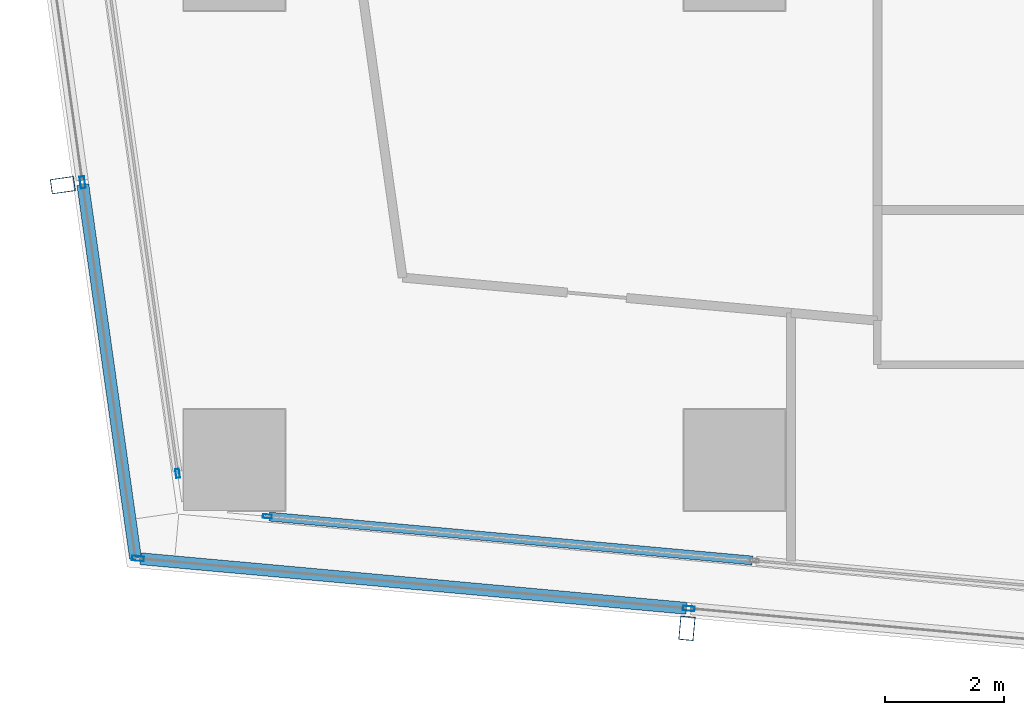
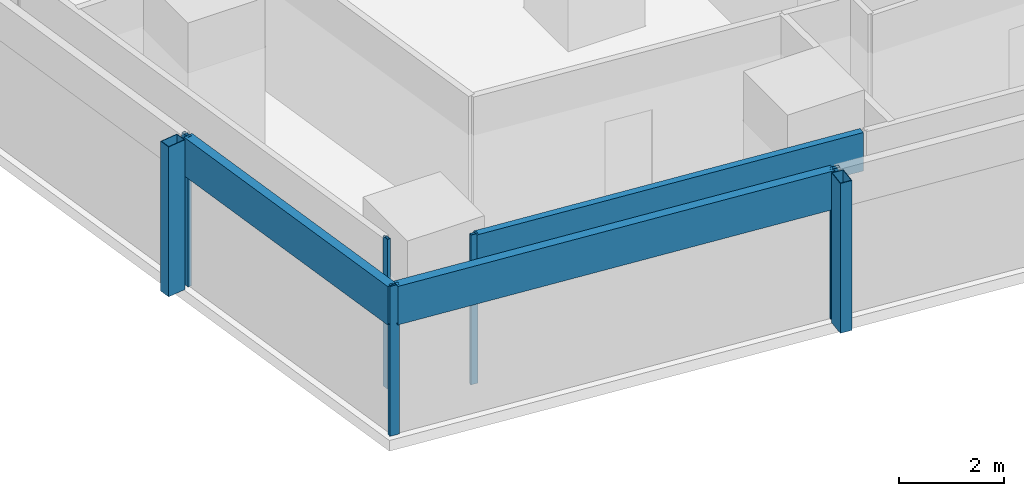
# One storey, part 2 of 40: 10 members, 4 elements without a shape of their own.
"""IFC4 building model written with IfcOpenShell, lengths in metres."""

from ifc_helpers import new_model, si_unit, direction, frame, origin, origin_2d, place, context, subcontext, project, spatial, hollow_rectangle, extrude, material, material_profile, profile_set, type_object, element, aggregate, save


model = new_model("IFC4")

# Units and contexts
model_context = context("Model", 3, precision=1e-05, world=origin(), true_north=direction((0.0, 1.0)))
body_context = subcontext(model_context, "Body", "Model", "MODEL_VIEW")
ifc_project = project(units=[si_unit("LENGTHUNIT", "METRE"), si_unit("AREAUNIT", "SQUARE_METRE"), si_unit("VOLUMEUNIT", "CUBIC_METRE"), si_unit("PLANEANGLEUNIT", "RADIAN"), si_unit("MASSUNIT", "GRAM", prefix="KILO")], contexts=[model_context])

# Site, building, storey
site_placement = place(None, origin())
site = spatial("IfcSite", under=ifc_project, at=site_placement, CompositionType="ELEMENT")
building_placement = place(site_placement, origin())
building = spatial("IfcBuilding", under=site, at=building_placement, Name="Rekha Terrace Tower", CompositionType="ELEMENT")
storey_placement = place(building_placement, frame((0.0, 0.0, 121.550048828125)))
storey = spatial("IfcBuildingStorey", under=building, at=storey_placement, Name="L30", CompositionType="ELEMENT", Elevation=121.550048828125)

# Curtain wall, member
ifc_material_1 = material(Name="Aluminium framing", Category="aluminium")
curtain_wall_type_1 = type_object("IfcCurtainWallType", Name="CW2 double skin outer glazing", PredefinedType="USERDEFINED", material=ifc_material_1)
curtain_wall_1_placement = place(storey_placement, origin())
curtain_wall_1 = element("IfcCurtainWall", 1, at=curtain_wall_1_placement, inside=storey, type_object=curtain_wall_type_1, Name="CW2 double skin outer glazing", ObjectType="DOUBLE SKIN OUTER GLAZING", PredefinedType="USERDEFINED")
ifc_material_2 = material(Name="Steel S355 with fluorocarbon finish", Category="steel")
ifc_material_profile_1 = material_profile(ifc_material_2, hollow_rectangle(XDim=0.25, YDim=0.39990234375, WallThickness=0.012451171875, at=origin_2d()), Name="RHS400x250x12.5")
ifc_profile_set_1 = profile_set([ifc_material_profile_1], Name="Steel S355 with fluorocarbon finish")
member_type_1 = type_object("IfcMemberType", Name="BL1 facade blade RHS 400 x 250", PredefinedType="USERDEFINED", material=ifc_profile_set_1)
member_1_placement = place(storey_placement, frame((16.002197265625, 13.970458984375, 0.0), z_axis=(0.0, 0.0, 1.0), x_axis=(0.995901938317, -0.090439644273, 0.0)))
member_1 = element("IfcMember", 2, at=member_1_placement, type_object=member_type_1, Name="Facade blade", ObjectType="FACADE BLADE", PredefinedType="USERDEFINED", context=body_context, shape_type="SweptSolid", body=[
    extrude(hollow_rectangle(XDim=0.25, YDim=0.39990234375, WallThickness=0.012451171875, at=origin_2d()), origin(), (0.0, 0.0, 1.0), 3.5),
])

curtain_wall_2_placement = place(storey_placement, origin())
curtain_wall_2 = element("IfcCurtainWall", 3, at=curtain_wall_2_placement, inside=storey, type_object=curtain_wall_type_1, Name="CW2 double skin outer glazing", ObjectType="DOUBLE SKIN OUTER GLAZING", PredefinedType="USERDEFINED")
member_2_placement = place(storey_placement, frame((5.51904296875, 21.41455078125, 0.0), z_axis=(0.0, 0.0, 1.0), x_axis=(0.139596532461, -0.990208467003, 0.0)))
member_2 = element("IfcMember", 4, at=member_2_placement, type_object=member_type_1, Name="Facade blade", ObjectType="FACADE BLADE", PredefinedType="USERDEFINED", context=body_context, shape_type="SweptSolid", body=[
    extrude(hollow_rectangle(XDim=0.25, YDim=0.39990234375, WallThickness=0.012451171875, at=origin_2d()), origin(), (0.0, 0.0, 1.0), 3.5),
])

curtain_wall_type_2 = type_object("IfcCurtainWallType", Name="CW1 double skin inner glazing", PredefinedType="USERDEFINED", material=ifc_material_1)
curtain_wall_3_placement = place(storey_placement, origin())
curtain_wall_3 = element("IfcCurtainWall", 5, at=curtain_wall_3_placement, inside=storey, type_object=curtain_wall_type_2, Name="CW1 double skin inner glazing", ObjectType="DOUBLE SKIN INNER GLAZING", PredefinedType="USERDEFINED")
ifc_material_3 = material(Name="Aluminium mullion section", Category="aluminium")
ifc_material_profile_2 = material_profile(ifc_material_3, hollow_rectangle(XDim=0.06494140625, YDim=0.14990234375, WallThickness=0.00390625, at=origin_2d()), Name="AL RHS 65x150")
ifc_profile_set_2 = profile_set([ifc_material_profile_2], Name="Aluminium mullion section")
member_type_2 = type_object("IfcMemberType", Name="CW1 mullion RHS 65 x 150", PredefinedType="MULLION", material=ifc_profile_set_2)
member_3_placement = place(storey_placement, frame((8.953369140625, 15.8505859375, 0.0), z_axis=(0.0, 0.0, 1.0), x_axis=(0.090439811381, 0.995901923142, 0.0)))
member_3 = element("IfcMember", 6, at=member_3_placement, type_object=member_type_2, Name="CW1 mullion 1", PredefinedType="MULLION", context=body_context, shape_type="SweptSolid", body=[
    extrude(hollow_rectangle(XDim=0.06494140625, YDim=0.14990234375, WallThickness=0.00390625, at=origin_2d()), origin(), (0.0, 0.0, 1.0), 3.5),
])

curtain_wall_4_placement = place(storey_placement, origin())
curtain_wall_4 = element("IfcCurtainWall", 7, at=curtain_wall_4_placement, inside=storey, type_object=curtain_wall_type_2, Name="CW1 double skin inner glazing", ObjectType="DOUBLE SKIN INNER GLAZING", PredefinedType="USERDEFINED")
member_4_placement = place(storey_placement, frame((7.448486328125, 16.573974609375, 0.0), z_axis=(0.0, 0.0, 1.0), x_axis=(0.990208394312, 0.139597048082, 0.0)))
member_4 = element("IfcMember", 8, at=member_4_placement, type_object=member_type_2, Name="CW1 mullion 2", PredefinedType="MULLION", context=body_context, shape_type="SweptSolid", body=[
    extrude(hollow_rectangle(XDim=0.06494140625, YDim=0.14990234375, WallThickness=0.00390625, at=origin_2d()), origin(), (0.0, 0.0, 1.0), 3.5),
])
aggregate(curtain_wall_4, [member_4])

# Member
ifc_material_4 = material(Name="Insulated aluminium spandrel box", Category="aluminium")
ifc_material_profile_3 = material_profile(ifc_material_4, hollow_rectangle(XDim=0.14990234375, YDim=0.89990234375, WallThickness=0.0029296875, at=origin_2d()), Name="AL SPANDREL BOX 150x900")
ifc_profile_set_3 = profile_set([ifc_material_profile_3], Name="Insulated aluminium spandrel box")
member_type_3 = type_object("IfcMemberType", Name="CW1 spandrel transom 150 x 900", PredefinedType="USERDEFINED", material=ifc_profile_set_3)
member_5_placement = place(storey_placement, frame((8.98583984375, 15.84765625, 3.050048828125), z_axis=(0.995901551249, -0.090443906483, 0.0), x_axis=(0.090443906483, 0.995901551249, 0.0)))
member_5 = element("IfcMember", 9, at=member_5_placement, type_object=member_type_3, Name="CW1 spandrel transom 1", ObjectType="TRANSOM", PredefinedType="USERDEFINED", context=body_context, shape_type="SweptSolid", body=[
    extrude(hollow_rectangle(XDim=0.14990234375, YDim=0.89990234375, WallThickness=0.0029296875, at=origin_2d()), origin(), (0.0, 0.0, 1.0), 8.1494140625),
])

aggregate(curtain_wall_3, [member_3, member_5])

ifc_material_profile_4 = material_profile(ifc_material_3, hollow_rectangle(XDim=0.080078125, YDim=0.199951171875, WallThickness=0.00390625, at=origin_2d()), Name="AL RHS 80x200")
ifc_profile_set_4 = profile_set([ifc_material_profile_4], Name="Aluminium mullion section")
member_type_4 = type_object("IfcMemberType", Name="CW2 mullion RHS 80 x 200", PredefinedType="MULLION", material=ifc_profile_set_4)
member_6_placement = place(storey_placement, frame((6.780517578125, 15.144287109375, 0.0), z_axis=(0.0, 0.0, 1.0), x_axis=(0.090439811433, 0.995901923137, 0.0)))
member_6 = element("IfcMember", 10, at=member_6_placement, type_object=member_type_4, Name="CW2 mullion 1", PredefinedType="MULLION", context=body_context, shape_type="SweptSolid", body=[
    extrude(hollow_rectangle(XDim=0.080078125, YDim=0.199951171875, WallThickness=0.00390625, at=origin_2d()), origin(), (0.0, 0.0, 1.0), 3.5),
])

member_7_placement = place(storey_placement, frame((16.032470703125, 14.30419921875, 0.0), z_axis=(0.0, 0.0, 1.0), x_axis=(0.090439811433, 0.995901923137, 0.0)))
member_7 = element("IfcMember", 11, at=member_7_placement, type_object=member_type_4, Name="CW2 mullion 2", PredefinedType="MULLION", context=body_context, shape_type="SweptSolid", body=[
    extrude(hollow_rectangle(XDim=0.080078125, YDim=0.199951171875, WallThickness=0.00390625, at=origin_2d()), origin(), (0.0, 0.0, 1.0), 3.5),
])

member_8_placement = place(storey_placement, frame((5.8505859375, 21.46142578125, 0.0), z_axis=(0.0, 0.0, 1.0), x_axis=(0.990208394312, 0.139597048082, 0.0)))
member_8 = element("IfcMember", 12, at=member_8_placement, type_object=member_type_4, Name="CW2 mullion 2", PredefinedType="MULLION", context=body_context, shape_type="SweptSolid", body=[
    extrude(hollow_rectangle(XDim=0.080078125, YDim=0.199951171875, WallThickness=0.00390625, at=origin_2d()), origin(), (0.0, 0.0, 1.0), 3.5),
])

ifc_material_profile_5 = material_profile(ifc_material_4, hollow_rectangle(XDim=0.199951171875, YDim=0.89990234375, WallThickness=0.0029296875, at=origin_2d()), Name="AL SPANDREL BOX 200x900")
ifc_profile_set_5 = profile_set([ifc_material_profile_5], Name="Insulated aluminium spandrel box")
member_type_5 = type_object("IfcMemberType", Name="CW2 spandrel transom 200 x 900", PredefinedType="USERDEFINED", material=ifc_profile_set_5)
member_9_placement = place(storey_placement, frame((6.8203125, 15.140625, 3.050048828125), z_axis=(0.995901458883, -0.090444923548, 0.0), x_axis=(0.090444923548, 0.995901458883, 0.0)))
member_9 = element("IfcMember", 13, at=member_9_placement, type_object=member_type_5, Name="CW2 spandrel transom 1", ObjectType="TRANSOM", PredefinedType="USERDEFINED", context=body_context, shape_type="SweptSolid", body=[
    extrude(hollow_rectangle(XDim=0.199951171875, YDim=0.89990234375, WallThickness=0.0029296875, at=origin_2d()), origin(), (0.0, 0.0, 1.0), 9.210205078125),
])

aggregate(curtain_wall_1, [member_6, member_7, member_9, member_1])

member_10_placement = place(storey_placement, frame((5.856201171875, 21.421875, 3.050048828125), z_axis=(0.139603155616, -0.990207533269, 0.0), x_axis=(0.990207533269, 0.139603155616, 0.0)))
member_10 = element("IfcMember", 14, at=member_10_placement, type_object=member_type_5, Name="CW2 spandrel transom 2", ObjectType="TRANSOM", PredefinedType="USERDEFINED", context=body_context, shape_type="SweptSolid", body=[
    extrude(hollow_rectangle(XDim=0.199951171875, YDim=0.89990234375, WallThickness=0.0029296875, at=origin_2d()), origin(), (0.0, 0.0, 1.0), 6.3359375),
])

aggregate(curtain_wall_2, [member_8, member_10, member_2])

save(model, "model.ifc")
